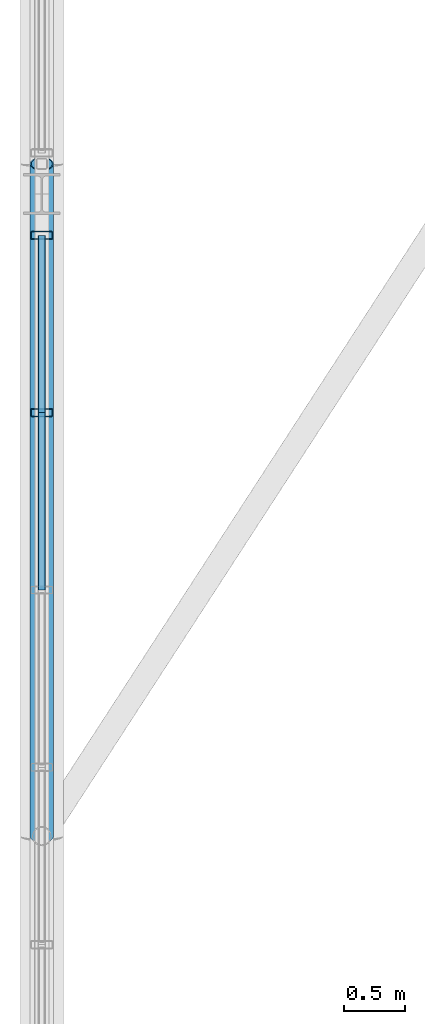
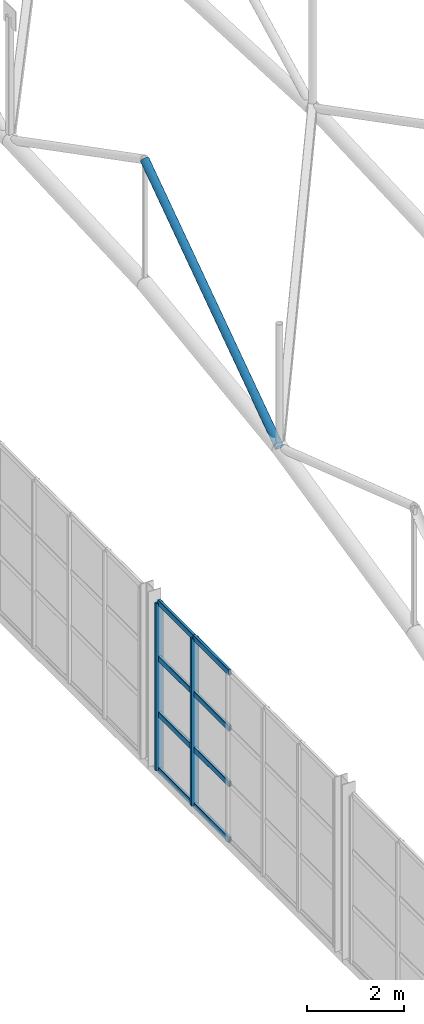
# One storey, part 27 of 153: 11 members, 1 element without a shape of its own.
"""IFC4 building model written with IfcOpenShell, lengths in metres."""

from ifc_helpers import new_model, si_unit, derived_unit, direction, frame, origin, origin_2d, place, context, subcontext, project, spatial, hollow_rectangle, hollow_circle, extrude, material, material_profile, profile_set, type_object, element, aggregate, save


model = new_model("IFC4")

# Units and contexts
model_context = context("Model", 3, precision=1e-05, world=origin(), true_north=direction((0.0, 1.0)))
body_context = subcontext(model_context, "Body", "Model", "MODEL_VIEW")
ifc_project = project(units=[si_unit("LENGTHUNIT", "METRE"), si_unit("AREAUNIT", "SQUARE_METRE"), si_unit("VOLUMEUNIT", "CUBIC_METRE"), si_unit("PLANEANGLEUNIT", "RADIAN"), si_unit("MASSUNIT", "GRAM", prefix="KILO"), derived_unit("THERMALTRANSMITTANCEUNIT", [(si_unit("POWERUNIT", "WATT"), 1), (si_unit("LENGTHUNIT", "METRE"), -2), (si_unit("THERMODYNAMICTEMPERATUREUNIT", "KELVIN"), -1)])], contexts=[model_context])

# Site, building, storey
site_placement = place(None, origin())
site = spatial("IfcSite", under=ifc_project, at=site_placement, CompositionType="ELEMENT")
building_placement = place(site_placement, origin())
building = spatial("IfcBuilding", under=site, at=building_placement, Name="Keldorne Ridge Multi-Sports Centre", CompositionType="ELEMENT")
storey_placement = place(building_placement, frame((0.0, 0.0, 9.60009765625)))
storey = spatial("IfcBuildingStorey", under=building, at=storey_placement, Name="L02", CompositionType="ELEMENT", Elevation=9.60009765625)

# Curtain wall, members
ifc_material_1 = material(Name="Anodized aluminium", Category="aluminium")
curtain_wall_type = type_object("IfcCurtainWallType", Name="CW-CW-06", PredefinedType="NOTDEFINED", material=ifc_material_1)
curtain_wall_placement = place(storey_placement, origin())
curtain_wall = element("IfcCurtainWall", 1, at=curtain_wall_placement, inside=storey, type_object=curtain_wall_type, Name="Main Hall west high gable glazing 030", PredefinedType="NOTDEFINED")
ifc_material_profile_1 = material_profile(ifc_material_1, hollow_rectangle(XDim=0.06494140625, YDim=0.179931640625, WallThickness=0.00439453125, InnerFilletRadius=0.00439453125, OuterFilletRadius=0.009033203125, at=origin_2d()), Name="ALU MULLION 180x65x4.5")
ifc_profile_set_1 = profile_set([ifc_material_profile_1], Name="Anodized aluminium")
member_type_1 = type_object("IfcMemberType", Name="MEM-ML-01", PredefinedType="MULLION", material=ifc_profile_set_1)
member_1_placement = place(storey_placement, frame((6.0, 25.659912109375, 0.0), z_axis=(0.0, 0.0, 1.0), x_axis=(0.0, 1.0, 0.0)))
member_1 = element("IfcMember", 2, at=member_1_placement, type_object=member_type_1, Name="CW-030 vertical mullion 1", PredefinedType="MULLION", context=body_context, shape_type="SweptSolid", body=[
    extrude(hollow_rectangle(XDim=0.06494140625, YDim=0.179931640625, WallThickness=0.00439453125, InnerFilletRadius=0.00439453125, OuterFilletRadius=0.009033203125, at=origin_2d()), origin(), (0.0, 0.0, 1.0), 4.199951171875),
])
member_2_placement = place(storey_placement, frame((6.0, 24.196044921875, 0.0), z_axis=(0.0, 0.0, 1.0), x_axis=(0.0, 1.0, 0.0)))
member_2 = element("IfcMember", 3, at=member_2_placement, type_object=member_type_1, Name="CW-030 vertical mullion 2", PredefinedType="MULLION", context=body_context, shape_type="SweptSolid", body=[
    extrude(hollow_rectangle(XDim=0.06494140625, YDim=0.179931640625, WallThickness=0.00439453125, InnerFilletRadius=0.00439453125, OuterFilletRadius=0.009033203125, at=origin_2d()), origin(), (0.0, 0.0, 1.0), 4.199951171875),
])

# Member
ifc_material_2 = material(Name="Steel S355", Category="steel")
ifc_material_profile_2 = material_profile(ifc_material_2, hollow_circle(Radius=0.096923828125, WallThickness=0.010009765625, at=origin_2d()), Name="CHS 193.7x10")
ifc_profile_set_2 = profile_set([ifc_material_profile_2], Name="Steel S355")
member_type_2 = type_object("IfcMemberType", Name="MEM-TD-01", PredefinedType="BRACE", material=ifc_profile_set_2)
member_3_placement = place(storey_placement, frame((6.0, 20.699951171875, 11.099853515625), z_axis=(0.0, 0.820266325192, 0.571981779217), x_axis=(-1.0, 0.0, 0.0)))
element("IfcMember", 4, at=member_3_placement, inside=storey, type_object=member_type_2, Name="Main Hall ROOF TRUSS AT-01 diagonal 3", PredefinedType="BRACE", context=body_context, shape_type="SweptSolid", body=[
    extrude(hollow_circle(Radius=0.096923828125, WallThickness=0.010009765625, at=origin_2d()), origin(), (0.0, 0.0, 1.0), 6.76611328125),
])

ifc_material_profile_3 = material_profile(ifc_material_1, hollow_rectangle(XDim=0.06494140625, YDim=0.139892578125, WallThickness=0.00439453125, InnerFilletRadius=0.00439453125, OuterFilletRadius=0.009033203125, at=origin_2d()), Name="ALU TRANSOM 140x65x4.5")
ifc_profile_set_3 = profile_set([ifc_material_profile_3], Name="Anodized aluminium")
member_type_3 = type_object("IfcMemberType", Name="MEM-TR-01", PredefinedType="USERDEFINED", material=ifc_profile_set_3)
member_4_placement = place(storey_placement, frame((6.0, 25.659912109375, 0.0), z_axis=(0.0, -1.0, 0.0), x_axis=(1.0, 0.0, 0.0)))
member_4 = element("IfcMember", 5, at=member_4_placement, type_object=member_type_3, Name="CW-030 transom 1.1", ObjectType="TRANSOM", PredefinedType="USERDEFINED", context=body_context, shape_type="SweptSolid", body=[
    extrude(hollow_rectangle(XDim=0.06494140625, YDim=0.139892578125, WallThickness=0.00439453125, InnerFilletRadius=0.00439453125, OuterFilletRadius=0.009033203125, at=origin_2d()), origin(), (0.0, 0.0, 1.0), 1.4638671875),
])

member_5_placement = place(storey_placement, frame((6.0, 25.659912109375, 1.39990234375), z_axis=(0.0, -1.0, 0.0), x_axis=(1.0, 0.0, 0.0)))
member_5 = element("IfcMember", 6, at=member_5_placement, type_object=member_type_3, Name="CW-030 transom 1.2", ObjectType="TRANSOM", PredefinedType="USERDEFINED", context=body_context, shape_type="SweptSolid", body=[
    extrude(hollow_rectangle(XDim=0.06494140625, YDim=0.139892578125, WallThickness=0.00439453125, InnerFilletRadius=0.00439453125, OuterFilletRadius=0.009033203125, at=origin_2d()), origin(), (0.0, 0.0, 1.0), 1.4638671875),
])

member_6_placement = place(storey_placement, frame((6.0, 25.659912109375, 2.7998046875), z_axis=(0.0, -1.0, 0.0), x_axis=(1.0, 0.0, 0.0)))
member_6 = element("IfcMember", 7, at=member_6_placement, type_object=member_type_3, Name="CW-030 transom 1.3", ObjectType="TRANSOM", PredefinedType="USERDEFINED", context=body_context, shape_type="SweptSolid", body=[
    extrude(hollow_rectangle(XDim=0.06494140625, YDim=0.139892578125, WallThickness=0.00439453125, InnerFilletRadius=0.00439453125, OuterFilletRadius=0.009033203125, at=origin_2d()), origin(), (0.0, 0.0, 1.0), 1.4638671875),
])

member_7_placement = place(storey_placement, frame((6.0, 25.659912109375, 4.199951171875), z_axis=(0.0, -1.0, 0.0), x_axis=(1.0, 0.0, 0.0)))
member_7 = element("IfcMember", 8, at=member_7_placement, type_object=member_type_3, Name="CW-030 transom 1.4", ObjectType="TRANSOM", PredefinedType="USERDEFINED", context=body_context, shape_type="SweptSolid", body=[
    extrude(hollow_rectangle(XDim=0.06494140625, YDim=0.139892578125, WallThickness=0.00439453125, InnerFilletRadius=0.00439453125, OuterFilletRadius=0.009033203125, at=origin_2d()), origin(), (0.0, 0.0, 1.0), 1.4638671875),
])

member_8_placement = place(storey_placement, frame((6.0, 24.196044921875, 0.0), z_axis=(0.0, -1.0, 0.0), x_axis=(1.0, 0.0, 0.0)))
member_8 = element("IfcMember", 9, at=member_8_placement, type_object=member_type_3, Name="CW-030 transom 2.1", ObjectType="TRANSOM", PredefinedType="USERDEFINED", context=body_context, shape_type="SweptSolid", body=[
    extrude(hollow_rectangle(XDim=0.06494140625, YDim=0.139892578125, WallThickness=0.00439453125, InnerFilletRadius=0.00439453125, OuterFilletRadius=0.009033203125, at=origin_2d()), origin(), (0.0, 0.0, 1.0), 1.464111328125),
])

member_9_placement = place(storey_placement, frame((6.0, 24.196044921875, 1.39990234375), z_axis=(0.0, -1.0, 0.0), x_axis=(1.0, 0.0, 0.0)))
member_9 = element("IfcMember", 10, at=member_9_placement, type_object=member_type_3, Name="CW-030 transom 2.2", ObjectType="TRANSOM", PredefinedType="USERDEFINED", context=body_context, shape_type="SweptSolid", body=[
    extrude(hollow_rectangle(XDim=0.06494140625, YDim=0.139892578125, WallThickness=0.00439453125, InnerFilletRadius=0.00439453125, OuterFilletRadius=0.009033203125, at=origin_2d()), origin(), (0.0, 0.0, 1.0), 1.464111328125),
])

member_10_placement = place(storey_placement, frame((6.0, 24.196044921875, 2.7998046875), z_axis=(0.0, -1.0, 0.0), x_axis=(1.0, 0.0, 0.0)))
member_10 = element("IfcMember", 11, at=member_10_placement, type_object=member_type_3, Name="CW-030 transom 2.3", ObjectType="TRANSOM", PredefinedType="USERDEFINED", context=body_context, shape_type="SweptSolid", body=[
    extrude(hollow_rectangle(XDim=0.06494140625, YDim=0.139892578125, WallThickness=0.00439453125, InnerFilletRadius=0.00439453125, OuterFilletRadius=0.009033203125, at=origin_2d()), origin(), (0.0, 0.0, 1.0), 1.464111328125),
])

member_11_placement = place(storey_placement, frame((6.0, 24.196044921875, 4.199951171875), z_axis=(0.0, -1.0, 0.0), x_axis=(1.0, 0.0, 0.0)))
member_11 = element("IfcMember", 12, at=member_11_placement, type_object=member_type_3, Name="CW-030 transom 2.4", ObjectType="TRANSOM", PredefinedType="USERDEFINED", context=body_context, shape_type="SweptSolid", body=[
    extrude(hollow_rectangle(XDim=0.06494140625, YDim=0.139892578125, WallThickness=0.00439453125, InnerFilletRadius=0.00439453125, OuterFilletRadius=0.009033203125, at=origin_2d()), origin(), (0.0, 0.0, 1.0), 1.464111328125),
])

aggregate(curtain_wall, [member_1, member_2, member_4, member_5, member_6, member_7, member_8, member_9, member_10, member_11])

save(model, "model.ifc")
